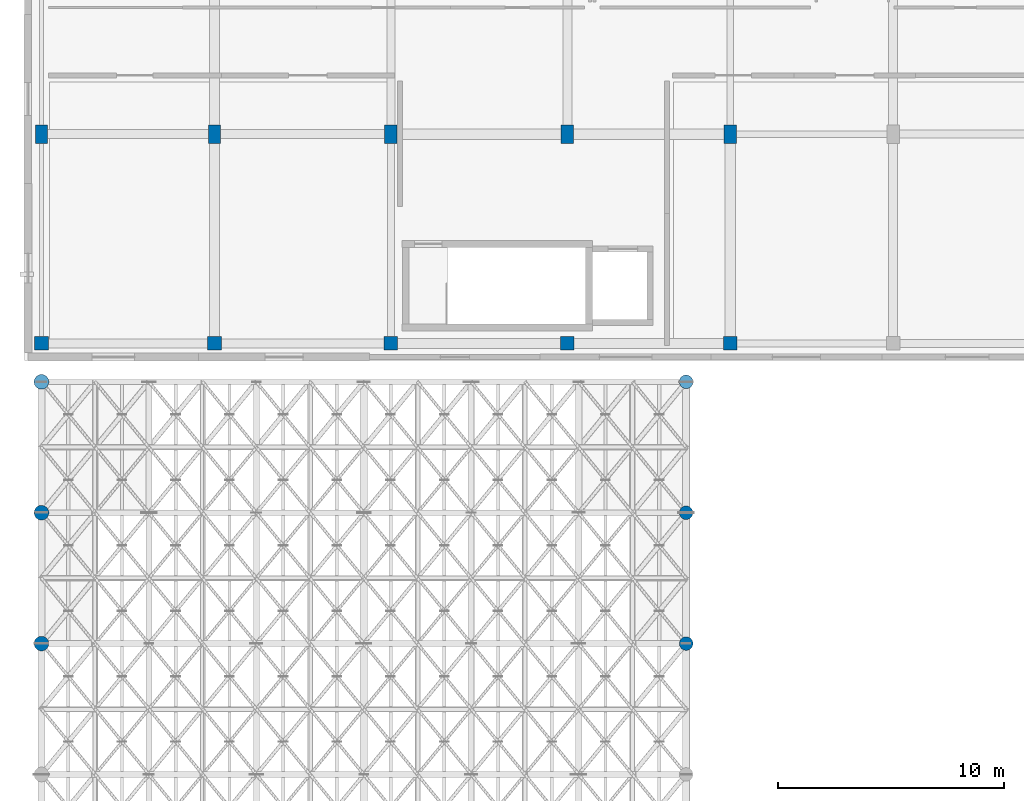
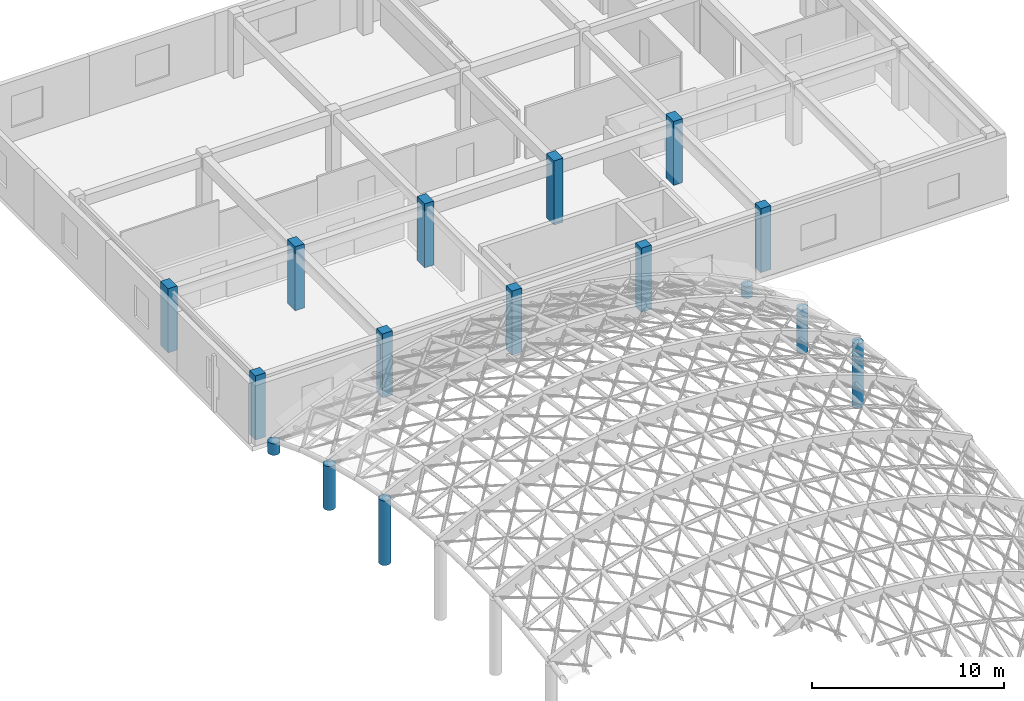
# One storey, part 9 of 146: 16 columns.
"""IFC4 building model written with IfcOpenShell, lengths in metres."""

from ifc_helpers import new_model, si_unit, direction, frame, origin, origin_2d, place, context, subcontext, project, spatial, rectangle, circle, extrude, material, material_profile, profile_set, type_object, element, save


model = new_model("IFC4")

# Units and contexts
model_context = context("Model", 3, precision=1e-05, world=origin(), true_north=direction((0.0, 1.0)))
body_context = subcontext(model_context, "Body", "Model", "MODEL_VIEW")
ifc_project = project(units=[si_unit("LENGTHUNIT", "METRE"), si_unit("AREAUNIT", "SQUARE_METRE"), si_unit("VOLUMEUNIT", "CUBIC_METRE"), si_unit("PLANEANGLEUNIT", "RADIAN"), si_unit("MASSUNIT", "GRAM", prefix="KILO")], contexts=[model_context])

# Site, building, storey
site_placement = place(None, origin())
site = spatial("IfcSite", under=ifc_project, at=site_placement, CompositionType="ELEMENT")
building_placement = place(site_placement, origin())
building = spatial("IfcBuilding", under=site, at=building_placement, Name="Valcora Specialist Clinic", CompositionType="ELEMENT")
storey_placement = place(building_placement, frame((0.0, 0.0, 9.52001953125)))
storey = spatial("IfcBuildingStorey", under=building, at=storey_placement, Name="L02", CompositionType="ELEMENT", Elevation=9.52001953125)

# Columns
ifc_material = material(Name="Concrete C40/50", Category="concrete")
ifc_material_profile_1 = material_profile(ifc_material, rectangle(XDim=0.550048828125, YDim=0.800048828125, at=origin_2d()), Name="RC-COL-550X800")
ifc_profile_set_1 = profile_set([ifc_material_profile_1], Name="Concrete C40/50")
column_type_1 = type_object("IfcColumnType", Name="TY-COL-RC550X800", PredefinedType="COLUMN", material=ifc_profile_set_1)
for number, where, z_axis, x_axis, name in (
    (1, (0.75, 90.199951171875, 0.0), (0.0, 0.0, 1.0), (1.0, 0.0, 0.0), "Column COL-L02-0140"),
    (2, (8.39990234375, 90.199951171875, 0.0), (0.0, 0.0, 1.0), (1.0, 0.0, 0.0), "Column COL-L02-0152"),
    (3, (16.199951171875, 90.199951171875, 0.0), (0.0, 0.0, 1.0), (1.0, 0.0, 0.0), "Column COL-L02-0164"),
    (4, (24.0, 90.199951171875, 0.0), (0.0, 0.0, 1.0), (1.0, 0.0, 0.0), "Column COL-L02-0180"),
    (5, (31.199951171875, 90.199951171875, 0.0), (0.0, 0.0, 1.0), (1.0, 0.0, 0.0), "Column COL-L02-0196"),
):
    element("IfcColumn", number, at=place(storey_placement, frame(where, z_axis=z_axis, x_axis=x_axis)), inside=storey, type_object=column_type_1, Name=name, PredefinedType="COLUMN", context=body_context, shape_type="SweptSolid", body=[
        extrude(rectangle(XDim=0.550048828125, YDim=0.800048828125, at=origin_2d()), origin(), (0.0, 0.0, 1.0), 4.080078125),
    ])
ifc_material_profile_2 = material_profile(ifc_material, rectangle(XDim=0.60009765625, YDim=0.60009765625, at=origin_2d()), Name="RC-COL-600X600")
ifc_profile_set_2 = profile_set([ifc_material_profile_2], Name="Concrete C40/50")
column_type_2 = type_object("IfcColumnType", Name="TY-COL-RC600", PredefinedType="COLUMN", material=ifc_profile_set_2)
for number, where, z_axis, x_axis, name in (
    (6, (0.75, 80.949951171875, 0.0), (0.0, 0.0, 1.0), (1.0, 0.0, 0.0), "Column COL-L02-0136"),
    (7, (8.39990234375, 80.949951171875, 0.0), (0.0, 0.0, 1.0), (1.0, 0.0, 0.0), "Column COL-L02-0148"),
    (8, (16.199951171875, 80.949951171875, 0.0), (0.0, 0.0, 1.0), (1.0, 0.0, 0.0), "Column COL-L02-0160"),
    (9, (24.0, 80.949951171875, 0.0), (0.0, 0.0, 1.0), (1.0, 0.0, 0.0), "Column COL-L02-0176"),
    (10, (31.199951171875, 80.949951171875, 0.0), (0.0, 0.0, 1.0), (1.0, 0.0, 0.0), "Column COL-L02-0192"),
):
    element("IfcColumn", number, at=place(storey_placement, frame(where, z_axis=z_axis, x_axis=x_axis)), inside=storey, type_object=column_type_2, Name=name, PredefinedType="COLUMN", context=body_context, shape_type="SweptSolid", body=[
        extrude(rectangle(XDim=0.60009765625, YDim=0.60009765625, at=origin_2d()), origin(), (0.0, 0.0, 1.0), 4.080078125),
    ])
ifc_material_profile_3 = material_profile(ifc_material, circle(Radius=0.300048828125, at=origin_2d()), Name="RC-COL-D600")
ifc_profile_set_3 = profile_set([ifc_material_profile_3], Name="Concrete C40/50")
column_type_3 = type_object("IfcColumnType", Name="TY-COL-RCD600", PredefinedType="COLUMN", material=ifc_profile_set_3)
column_1_placement = place(storey_placement, frame((29.25, 67.678955078125, 0.0), z_axis=(0.0, 0.0, 1.0), x_axis=(1.0, 0.0, 0.0)))
element("IfcColumn", 11, at=column_1_placement, inside=storey, type_object=column_type_3, Name="Column COL-L02-0124", PredefinedType="COLUMN", context=body_context, shape_type="SweptSolid", body=[
    extrude(circle(Radius=0.300048828125, at=origin_2d()), origin(), (0.0, 0.0, 1.0), 4.11279296875),
])
column_2_placement = place(storey_placement, frame((29.25, 73.464111328125, 0.0), z_axis=(0.0, 0.0, 1.0), x_axis=(1.0, 0.0, 0.0)))
element("IfcColumn", 12, at=column_2_placement, inside=storey, type_object=column_type_3, Name="Column COL-L02-0128", PredefinedType="COLUMN", context=body_context, shape_type="SweptSolid", body=[
    extrude(circle(Radius=0.300048828125, at=origin_2d()), origin(), (0.0, 0.0, 1.0), 2.7900390625),
])
column_3_placement = place(storey_placement, frame((29.25, 79.25, 0.0), z_axis=(0.0, 0.0, 1.0), x_axis=(1.0, 0.0, 0.0)))
element("IfcColumn", 13, at=column_3_placement, inside=storey, type_object=column_type_3, Name="Column COL-L02-0132", PredefinedType="COLUMN", context=body_context, shape_type="SweptSolid", body=[
    extrude(circle(Radius=0.300048828125, at=origin_2d()), origin(), (0.0, 0.0, 1.0), 0.737060546875),
])
ifc_material_profile_4 = material_profile(ifc_material, circle(Radius=0.324951171875, at=origin_2d()), Name="RC-COL-D650")
ifc_profile_set_4 = profile_set([ifc_material_profile_4], Name="Concrete C40/50")
column_type_4 = type_object("IfcColumnType", Name="TY-COL-RCD650", PredefinedType="COLUMN", material=ifc_profile_set_4)
column_4_placement = place(storey_placement, frame((0.75, 67.678955078125, 0.0), z_axis=(0.0, 0.0, 1.0), x_axis=(1.0, 0.0, 0.0)))
element("IfcColumn", 14, at=column_4_placement, inside=storey, type_object=column_type_4, Name="Column COL-L02-0024", PredefinedType="COLUMN", context=body_context, shape_type="SweptSolid", body=[
    extrude(circle(Radius=0.324951171875, at=origin_2d()), origin(), (0.0, 0.0, 1.0), 4.11279296875),
])
column_5_placement = place(storey_placement, frame((0.75, 73.464111328125, 0.0), z_axis=(0.0, 0.0, 1.0), x_axis=(1.0, 0.0, 0.0)))
element("IfcColumn", 15, at=column_5_placement, inside=storey, type_object=column_type_4, Name="Column COL-L02-0028", PredefinedType="COLUMN", context=body_context, shape_type="SweptSolid", body=[
    extrude(circle(Radius=0.324951171875, at=origin_2d()), origin(), (0.0, 0.0, 1.0), 2.7900390625),
])
column_6_placement = place(storey_placement, frame((0.75, 79.25, 0.0), z_axis=(0.0, 0.0, 1.0), x_axis=(1.0, 0.0, 0.0)))
element("IfcColumn", 16, at=column_6_placement, inside=storey, type_object=column_type_4, Name="Column COL-L02-0032", PredefinedType="COLUMN", context=body_context, shape_type="SweptSolid", body=[
    extrude(circle(Radius=0.324951171875, at=origin_2d()), origin(), (0.0, 0.0, 1.0), 0.737060546875),
])

save(model, "model.ifc")
